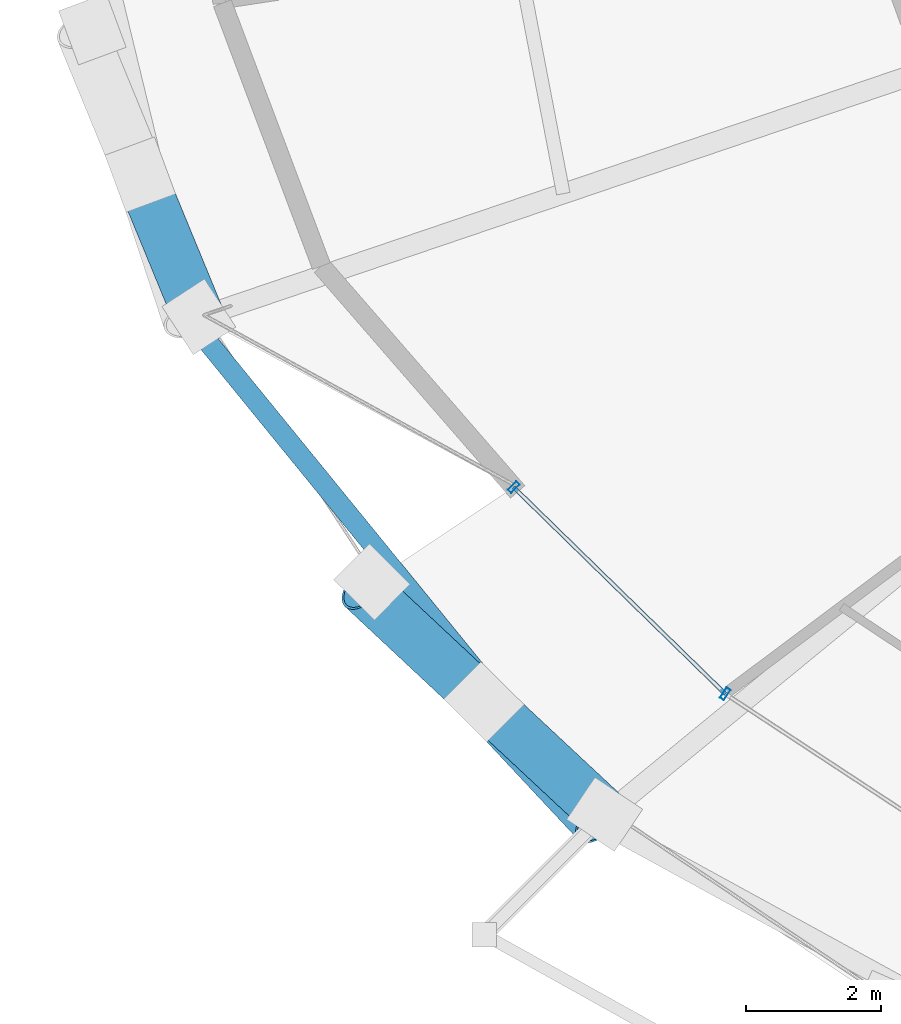
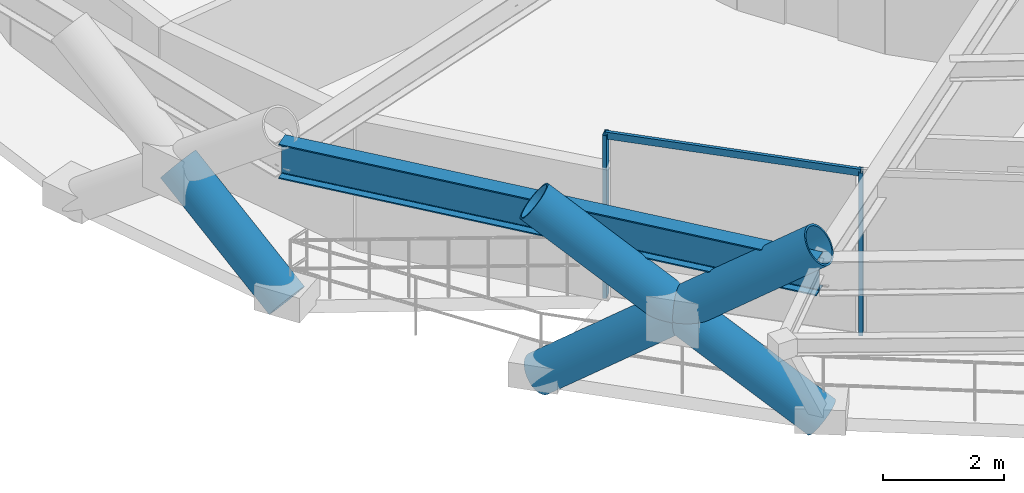
# One storey, part 2 of 19: 7 members, 1 beam, 1 element without a shape of its own.
"""IFC4 building model written with IfcOpenShell, lengths in metres."""

from ifc_helpers import new_model, si_unit, direction, frame, origin, origin_2d, place, context, subcontext, project, spatial, hollow_rectangle, hollow_circle, i_section, extrude, material, layer, layer_set, material_profile, profile_set, type_object, element, aggregate, save


model = new_model("IFC4")

# Units and contexts
model_context = context("Model", 3, precision=1e-05, world=origin(), true_north=direction((0.0, 1.0)))
body_context = subcontext(model_context, "Body", "Model", "MODEL_VIEW")
ifc_project = project(units=[si_unit("LENGTHUNIT", "METRE"), si_unit("AREAUNIT", "SQUARE_METRE"), si_unit("VOLUMEUNIT", "CUBIC_METRE"), si_unit("PLANEANGLEUNIT", "RADIAN"), si_unit("MASSUNIT", "GRAM", prefix="KILO")], contexts=[model_context])

# Site, building, storey
site_placement = place(None, origin())
site = spatial("IfcSite", under=ifc_project, at=site_placement, CompositionType="ELEMENT")
building_placement = place(site_placement, origin())
building = spatial("IfcBuilding", under=site, at=building_placement, Name="Veldorina Hangang Commons", CompositionType="ELEMENT")
storey_placement = place(building_placement, frame((0.0, 0.0, 34.0)))
storey = spatial("IfcBuildingStorey", under=building, at=storey_placement, Name="L07", CompositionType="ELEMENT", Elevation=34.0)

# Beam
ifc_material_1 = material(Name="Steel SM460-TMC", Category="steel")
ifc_material_profile_1 = material_profile(ifc_material_1, i_section(OverallWidth=0.300048828125, OverallDepth=0.699951171875, WebThickness=0.012939453125, FlangeThickness=0.02392578125, FilletRadius=0.02197265625, at=origin_2d()), Name="H-700x300x13x24")
ifc_profile_set_1 = profile_set([ifc_material_profile_1], Name="Steel SM460-TMC")
beam_type = type_object("IfcBeamType", Name="BM-RB700", PredefinedType="BEAM", material=ifc_profile_set_1)
beam_placement = place(storey_placement, frame((6.310791015625, 15.272705078125, 2.989990234375), z_axis=(0.631612018868, -0.775284630069, 0.0), x_axis=(0.775284630069, 0.631612018868, 0.0)))
element("IfcBeam", 1, at=beam_placement, inside=storey, type_object=beam_type, Name="L07 perimeter hoop ring beam 18", PredefinedType="BEAM", context=body_context, shape_type="SweptSolid", body=[
    extrude(i_section(OverallWidth=0.300048828125, OverallDepth=0.699951171875, WebThickness=0.012939453125, FlangeThickness=0.02392578125, FilletRadius=0.02197265625, at=origin_2d()), origin(), (0.0, 0.0, 1.0), 9.543212890625),
])

# Curtain wall, members
ifc_material_2 = material(Name="Glass Low-E Triple IGU", Category="glass")
ifc_layer = layer(ifc_material_2, 0.179931640625)
ifc_layer_set = layer_set([ifc_layer], Name="Glass Low-E Triple IGU")
curtain_wall_type = type_object("IfcCurtainWallType", Name="CW-SYS-Z1", PredefinedType="NOTDEFINED", material=ifc_layer_set)
curtain_wall_placement = place(storey_placement, origin())
curtain_wall = element("IfcCurtainWall", 2, at=curtain_wall_placement, inside=storey, type_object=curtain_wall_type, Name="L07 unitised curtain wall CW-L07-R1", PredefinedType="NOTDEFINED")
ifc_material_3 = material(Name="Aluminium Anodized AA6063-T6", Category="aluminium")
ifc_material_profile_2 = material_profile(ifc_material_3, hollow_rectangle(XDim=0.070068359375, YDim=0.179931640625, WallThickness=0.00390625, at=origin_2d()), Name="ALU-RHS-180x70x4")
ifc_profile_set_2 = profile_set([ifc_material_profile_2], Name="Aluminium Anodized AA6063-T6")
member_type_1 = type_object("IfcMemberType", Name="CW-MUL-180", PredefinedType="MULLION", material=ifc_profile_set_2)
member_1_placement = place(storey_placement, frame((11.09033203125, 12.806396484375, 0.0), z_axis=(0.0, 0.0, 1.0), x_axis=(0.715558634406, -0.6985526757, 0.0)))
member_1 = element("IfcMember", 3, at=member_1_placement, type_object=member_type_1, Name="CW-L07-R1 vertical mullion 1", PredefinedType="MULLION", context=body_context, shape_type="SweptSolid", body=[
    extrude(hollow_rectangle(XDim=0.070068359375, YDim=0.179931640625, WallThickness=0.00390625, at=origin_2d()), origin(), (0.0, 0.0, 1.0), 3.300048828125),
])
member_2_placement = place(storey_placement, frame((14.2177734375, 9.75341796875, 0.0), z_axis=(0.0, 0.0, 1.0), x_axis=(0.835567725417, -0.549387455483, 0.0)))
member_2 = element("IfcMember", 4, at=member_2_placement, type_object=member_type_1, Name="CW-L07-R1 vertical mullion 2", PredefinedType="MULLION", context=body_context, shape_type="SweptSolid", body=[
    extrude(hollow_rectangle(XDim=0.070068359375, YDim=0.179931640625, WallThickness=0.00390625, at=origin_2d()), origin(), (0.0, 0.0, 1.0), 3.300048828125),
])
ifc_material_profile_3 = material_profile(ifc_material_3, hollow_rectangle(XDim=0.06005859375, YDim=0.139892578125, WallThickness=0.00341796875, at=origin_2d()), Name="ALU-RHS-140x60x3.5")
ifc_profile_set_3 = profile_set([ifc_material_profile_3], Name="Aluminium Anodized AA6063-T6")
member_type_2 = type_object("IfcMemberType", Name="CW-TRN-140", PredefinedType="USERDEFINED", material=ifc_profile_set_3)
member_3_placement = place(storey_placement, frame((11.09033203125, 12.806396484375, 3.260009765625), z_axis=(0.715574205881, -0.698536724788, 0.0), x_axis=(0.698536724788, 0.715574205881, 0.0)))
member_3 = element("IfcMember", 5, at=member_3_placement, type_object=member_type_2, Name="CW-L07-R1 facet 1 transom 1", ObjectType="TRANSOM", PredefinedType="USERDEFINED", context=body_context, shape_type="SweptSolid", body=[
    extrude(hollow_rectangle(XDim=0.06005859375, YDim=0.139892578125, WallThickness=0.00341796875, at=origin_2d()), origin(), (0.0, 0.0, 1.0), 4.37060546875),
])
aggregate(curtain_wall, [member_1, member_2, member_3])

# Members
ifc_material_profile_4 = material_profile(ifc_material_1, hollow_circle(Radius=0.375, WallThickness=0.035888671875, at=origin_2d()), Name="CHS-750x36")
ifc_profile_set_4 = profile_set([ifc_material_profile_4], Name="Steel SM460-TMC")
member_type_3 = type_object("IfcMemberType", Name="DG-CHS750", PredefinedType="BRACE", material=ifc_profile_set_4)
member_4_placement = place(storey_placement, frame((6.438232421875, 15.325439453125, 0.0), z_axis=(-0.29919189861, 0.725850168225, 0.619375282921), x_axis=(-0.924537934154, -0.381090026517, 0.0)))
element("IfcMember", 6, at=member_4_placement, inside=storey, type_object=member_type_3, Name="L07 split perimeter diagrid lower brace 18", PredefinedType="BRACE", context=body_context, shape_type="SweptSolid", body=[
    extrude(hollow_circle(Radius=0.375, WallThickness=0.035888671875, at=origin_2d()), origin(), (0.0, 0.0, 1.0), 2.89599609375),
])
member_5_placement = place(storey_placement, frame((8.9951171875, 11.406494140625, 0.0), z_axis=(0.549156938168, -0.58699644511, 0.594862867129), x_axis=(0.730252029627, 0.683177848898, 0.0)))
element("IfcMember", 7, at=member_5_placement, inside=storey, type_object=member_type_3, Name="L07 continuous perimeter diagrid brace 19", PredefinedType="BRACE", context=body_context, shape_type="SweptSolid", body=[
    extrude(hollow_circle(Radius=0.375, WallThickness=0.035888671875, at=origin_2d()), origin(), (0.0, 0.0, 1.0), 6.052001953125),
])
member_6_placement = place(storey_placement, frame((12.435791015625, 7.971435546875, 0.0), z_axis=(-0.58922050463, 0.549562982294, 0.592283483997), x_axis=(-0.682068706151, -0.731288096504, 0.0)))
element("IfcMember", 8, at=member_6_placement, inside=storey, type_object=member_type_3, Name="L07 split perimeter diagrid lower brace 20", PredefinedType="BRACE", context=body_context, shape_type="SweptSolid", body=[
    extrude(hollow_circle(Radius=0.375, WallThickness=0.035888671875, at=origin_2d()), origin(), (0.0, 0.0, 1.0), 3.02880859375),
])
member_7_placement = place(storey_placement, frame((10.651123046875, 9.635986328125, 1.7939453125), z_axis=(-0.588409607976, 0.550377962339, 0.592332872474), x_axis=(-0.683110968835, -0.730314592663, 0.0)))
element("IfcMember", 9, at=member_7_placement, inside=storey, type_object=member_type_3, Name="L07 split perimeter diagrid upper brace 20", PredefinedType="BRACE", context=body_context, shape_type="SweptSolid", body=[
    extrude(hollow_circle(Radius=0.375, WallThickness=0.035888671875, at=origin_2d()), origin(), (0.0, 0.0, 1.0), 3.04931640625),
])

save(model, "model.ifc")
